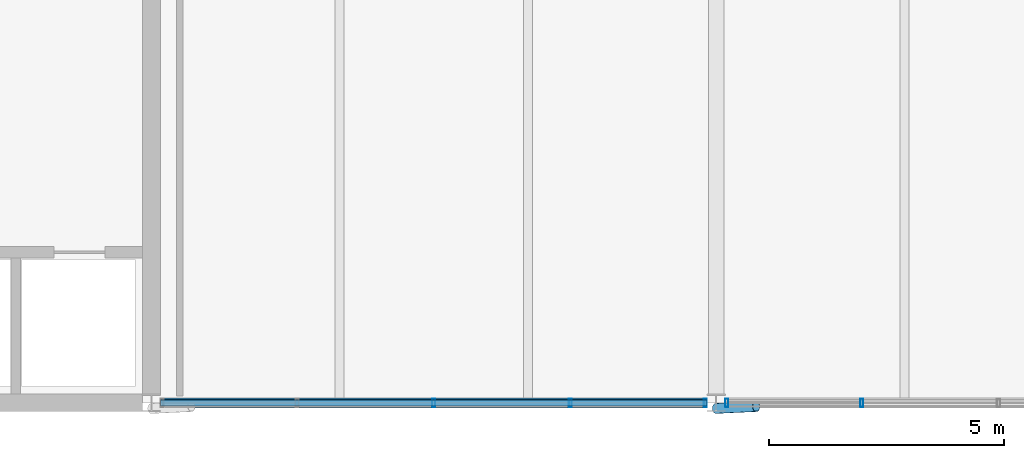
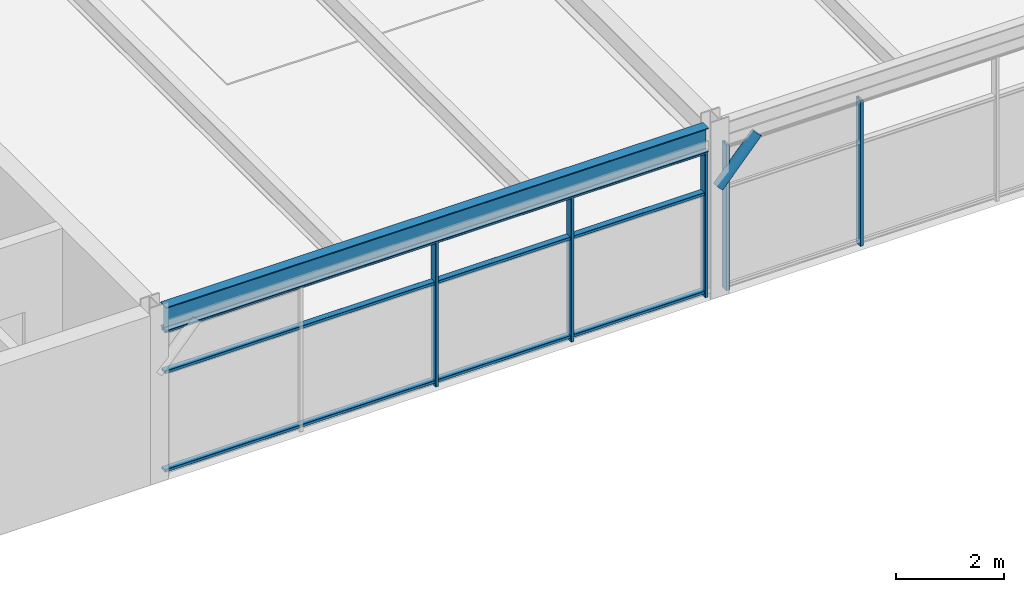
# One storey, part 26 of 49: 9 members, 1 beam, 2 elements without a shape of their own.
"""IFC4 building model written with IfcOpenShell, lengths in metres."""

import ifcopenshell
import ifcopenshell.guid

model = None  # the IFC model being written
_history = None  # IfcOwnerHistory: only IFC2X3 demands one
_inside = {}  # id of a spatial element -> (the spatial element, [elements in it])
_under = {}  # id of a project, library or spatial element -> (it, [spatial elements below it])
_declared = {}  # id of a project -> (the project, [libraries it declares])
_typed = {}  # id of a type object -> (the type object, [elements of that type])
_made_of = {}  # id of a material, layer set ... -> (it, [elements and type objects made of it])


def new_model(schema):
    """Start an empty IFC model of exactly this schema.

    Asked for "IFC4X3", IfcOpenShell would pick the latest addendum, in which some entities
    have other attributes; the version numbers below select the first issue.
    IFC2X3 requires an IfcOwnerHistory on every rooted entity: one is made here for all.
    """
    global model, _history
    if schema == "IFC4X3":
        model = ifcopenshell.file(schema_version=(4, 3, 0, 0))
    else:
        model = ifcopenshell.file(schema=schema)
    _inside.clear()
    _under.clear()
    _declared.clear()
    _typed.clear()
    _made_of.clear()
    _history = None
    if model.schema == "IFC2X3":
        org = make("IfcOrganization", Name="unknown")
        user = make(
            "IfcPersonAndOrganization",
            ThePerson=make("IfcPerson", FamilyName="unknown"),
            TheOrganization=org,
        )
        app = make(
            "IfcApplication",
            ApplicationDeveloper=org,
            Version="unknown",
            ApplicationFullName="unknown",
            ApplicationIdentifier="unknown",
        )
        _history = make(
            "IfcOwnerHistory",
            OwningUser=user,
            OwningApplication=app,
            ChangeAction="ADDED",
            CreationDate=0,
        )
    return model


def make(cls, **values):
    """One entity of the class cls with the attributes given. An attribute that is None is left unset."""
    return model.create_entity(
        cls, **{name: value for name, value in values.items() if value is not None}
    )


def rooted(cls, **values):
    """An entity with a GlobalId (a new one), such as an element, a storey or a relation."""
    return make(cls, GlobalId=ifcopenshell.guid.new(), OwnerHistory=_history, **values)


def si_unit(unit_type, name, prefix=None):
    """IfcSIUnit, for example si_unit("LENGTHUNIT", "METRE", prefix="MILLI")."""
    return make("IfcSIUnit", UnitType=unit_type, Prefix=prefix, Name=name)


def assignment(units):
    """IfcUnitAssignment: the units of a project."""
    return None if units is None else make("IfcUnitAssignment", Units=units)


def point(xyz):
    """IfcCartesianPoint."""
    return None if xyz is None else make("IfcCartesianPoint", Coordinates=xyz)


def direction(xyz):
    """IfcDirection."""
    return None if xyz is None else make("IfcDirection", DirectionRatios=xyz)


def frame(location, z_axis=None, x_axis=None):
    """IfcAxis2Placement3D, a coordinate frame: its origin and axes. An axis left out is left unset."""
    return make(
        "IfcAxis2Placement3D",
        Location=point(location),
        Axis=direction(z_axis),
        RefDirection=direction(x_axis),
    )


def frame_2d(location, x_axis=None):
    """IfcAxis2Placement2D, a coordinate frame in the plane: its origin and x axis."""
    return make(
        "IfcAxis2Placement2D", Location=point(location), RefDirection=direction(x_axis)
    )


def origin():
    """The frame at (0, 0, 0) with its axes left unset."""
    return frame((0.0, 0.0, 0.0))


def origin_2d():
    """The frame at (0, 0) in the plane with its x axis left unset."""
    return frame_2d((0.0, 0.0))


def place(relative_to, where):
    """IfcLocalPlacement: puts the frame where relative to a parent placement (None: the world)."""
    return make(
        "IfcLocalPlacement", PlacementRelTo=relative_to, RelativePlacement=where
    )


def context(
    kind, dimensions, precision=None, world=None, true_north=None, identifier=None
):
    """IfcGeometricRepresentationContext, for example the 3D "Model" context."""
    return make(
        "IfcGeometricRepresentationContext",
        ContextIdentifier=identifier,
        ContextType=kind,
        CoordinateSpaceDimension=dimensions,
        Precision=precision,
        WorldCoordinateSystem=world,
        TrueNorth=true_north,
    )


def subcontext(parent, identifier, kind, view, scale=None):
    """IfcGeometricRepresentationSubContext, for example "Body" below "Model"."""
    return make(
        "IfcGeometricRepresentationSubContext",
        ContextIdentifier=identifier,
        ContextType=kind,
        ParentContext=parent,
        TargetScale=scale,
        TargetView=view,
    )


def project(units=None, contexts=None):
    """IfcProject with its units and contexts."""
    return rooted(
        "IfcProject",
        Name="project",
        RepresentationContexts=contexts,
        UnitsInContext=assignment(units),
    )


def spatial(cls, under=None, at=None, **own):
    """A site, building, storey or space (cls), placed at a placement, below another one or the project."""
    s = rooted(cls, ObjectPlacement=at, **own)
    if under is not None:
        _under.setdefault(under.id(), (under, []))[1].append(s)
    return s


def profile(cls, at=None, kind="AREA", **sizes):
    """A parametric profile (cls). Its sizes go by their IFC names, for example OverallWidth=200.0."""
    return make(cls, ProfileType=kind, Position=at, **sizes)


def hollow_rectangle(**sizes):
    """IfcRectangleHollowProfileDef."""
    return profile("IfcRectangleHollowProfileDef", **sizes)


def hollow_circle(**sizes):
    """IfcCircleHollowProfileDef."""
    return profile("IfcCircleHollowProfileDef", **sizes)


def i_section(**sizes):
    """IfcIShapeProfileDef."""
    return profile("IfcIShapeProfileDef", **sizes)


def extrude(swept, where, along, depth):
    """IfcExtrudedAreaSolid: the profile swept, set in the frame where, extruded along a direction by depth."""
    return make(
        "IfcExtrudedAreaSolid",
        SweptArea=swept,
        Position=where,
        ExtrudedDirection=direction(along),
        Depth=depth,
    )


def shape(context_of_items, identifier, shape_type, items):
    """IfcShapeRepresentation: the items that make up one representation, for example the "Body"."""
    return make(
        "IfcShapeRepresentation",
        ContextOfItems=context_of_items,
        RepresentationIdentifier=identifier,
        RepresentationType=shape_type,
        Items=items,
    )


def material(Name=None, Category=None):
    """IfcMaterial."""
    return make("IfcMaterial", Name=Name, Category=Category)


def material_profile(
    of_material, cross_section, Name=None, Category=None, Priority=None
):
    """IfcMaterialProfile: a cross section and its material."""
    return make(
        "IfcMaterialProfile",
        Name=Name,
        Material=of_material,
        Profile=cross_section,
        Priority=Priority,
        Category=Category,
    )


def profile_set(profiles, Name=None, composite=None):
    """IfcMaterialProfileSet."""
    return make(
        "IfcMaterialProfileSet",
        Name=Name,
        MaterialProfiles=profiles,
        CompositeProfile=composite,
    )


def made_of(thing, what):
    """Note that an element or type object is made of a material, layer set ...; save() writes the relation."""
    if what is not None:
        _made_of.setdefault(what.id(), (what, []))[1].append(thing)
    return thing


def type_object(cls, material=None, **own):
    """A type object (cls), such as IfcWallType, which elements share."""
    return made_of(rooted(cls, **own), material)


def element(
    cls,
    number,
    at=None,
    inside=None,
    cuts=None,
    type_object=None,
    material=None,
    context=None,
    identifier="Body",
    shape_type=None,
    held_by="IfcProductDefinitionShape",
    body=None,
    shapes=None,
    **own,
):
    """One element of the class cls, such as IfcWall. Its Tag is "e" and its number.

    at: its placement. inside: the storey or other place that contains it. cuts: it is an
    opening in that element (IfcRelVoidsElement). A single representation is given by context,
    identifier, shape_type and body (its items); several are given by shapes. held_by: the class
    of the entity that holds the representations. save() writes the other relations.
    """
    e = rooted(cls, Tag="e%d" % number, ObjectPlacement=at, **own)
    if body is not None:
        shapes = [shape(context, identifier, shape_type, body)]
    if shapes is not None:
        e.Representation = make(held_by, Representations=shapes)
    if inside is not None:
        _inside.setdefault(inside.id(), (inside, []))[1].append(e)
    if cuts is not None:
        rooted(
            "IfcRelVoidsElement", RelatingBuildingElement=cuts, RelatedOpeningElement=e
        )
    if type_object is not None:
        _typed.setdefault(type_object.id(), (type_object, []))[1].append(e)
    return made_of(e, material)


def aggregate(whole, parts):
    """IfcRelAggregates: a whole, such as a stair, and the parts it consists of."""
    return rooted("IfcRelAggregates", RelatingObject=whole, RelatedObjects=parts)


def save(model, path):
    """Write the relations noted so far, then the file.

    IfcRelAggregates (storeys below a building ...), IfcRelContainedInSpatialStructure (elements
    in a storey), IfcRelDefinesByType, IfcRelAssociatesMaterial and IfcRelDeclares: one each for
    every whole, place, type object, material and project.
    """
    for whole, parts in _under.values():
        aggregate(whole, parts)
    for where, things in _inside.values():
        rooted(
            "IfcRelContainedInSpatialStructure",
            RelatedElements=things,
            RelatingStructure=where,
        )
    for kind, things in _typed.values():
        rooted("IfcRelDefinesByType", RelatedObjects=things, RelatingType=kind)
    for what, things in _made_of.values():
        rooted("IfcRelAssociatesMaterial", RelatedObjects=things, RelatingMaterial=what)
    for by, libraries in _declared.values():
        rooted("IfcRelDeclares", RelatingContext=by, RelatedDefinitions=libraries)
    model.write(path)


model = new_model("IFC4")

# Units and contexts
model_context = context("Model", 3, precision=1e-05, world=origin(), true_north=direction((0.0, 1.0)))
body_context = subcontext(model_context, "Body", "Model", "MODEL_VIEW")
ifc_project = project(units=[si_unit("LENGTHUNIT", "METRE"), si_unit("AREAUNIT", "SQUARE_METRE"), si_unit("VOLUMEUNIT", "CUBIC_METRE"), si_unit("PLANEANGLEUNIT", "RADIAN"), si_unit("MASSUNIT", "GRAM", prefix="KILO")], contexts=[model_context])

# Site, building, storey
site_placement = place(None, origin())
site = spatial("IfcSite", under=ifc_project, at=site_placement, CompositionType="ELEMENT")
building_placement = place(site_placement, origin())
building = spatial("IfcBuilding", under=site, at=building_placement, Name="Girod Span Mobility Hub", CompositionType="ELEMENT")
storey_placement = place(building_placement, frame((0.0, 0.0, 37.60009765625)))
storey = spatial("IfcBuildingStorey", under=building, at=storey_placement, Name="L09", CompositionType="ELEMENT", Elevation=37.60009765625)

# Beam
ifc_material_1 = material(Name="Steel A992 Grade 50", Category="steel")
ifc_material_profile_1 = material_profile(ifc_material_1, i_section(OverallWidth=0.2119140625, OverallDepth=0.5439453125, WebThickness=0.01318359375, FlangeThickness=0.021240234375, FilletRadius=0.014892578125, at=origin_2d()), Name="W21X83")
ifc_profile_set_1 = profile_set([ifc_material_profile_1], Name="Steel A992 Grade 50")
beam_type = type_object("IfcBeamType", Name="BM-STL-W21X83", PredefinedType="SPANDREL", material=ifc_profile_set_1)
beam_placement = place(storey_placement, frame((84.194091796875, 27.0, 3.56298828125), z_axis=(1.0, 0.0, 0.0), x_axis=(0.0, 1.0, 0.0)))
element("IfcBeam", 1, at=beam_placement, inside=storey, type_object=beam_type, Name="Girder 8-9/C L09", PredefinedType="SPANDREL", context=body_context, shape_type="SweptSolid", body=[
    extrude(i_section(OverallWidth=0.2119140625, OverallDepth=0.5439453125, WebThickness=0.01318359375, FlangeThickness=0.021240234375, FilletRadius=0.014892578125, at=origin_2d()), origin(), (0.0, 0.0, 1.0), 11.61181640625),
])

# Curtain wall, members
ifc_material_2 = material(Name="Thermally Broken Anodised Aluminium", Category="aluminium")
curtain_wall_type = type_object("IfcCurtainWallType", Name="CW-1161X329", PredefinedType="USERDEFINED", material=ifc_material_2)
curtain_wall_1_placement = place(storey_placement, origin())
curtain_wall_1 = element("IfcCurtainWall", 2, at=curtain_wall_1_placement, inside=storey, type_object=curtain_wall_type, Name="Unitised Curtain Wall CW-L09-S08 L09", ObjectType="UNITISED CURTAIN WALL", PredefinedType="USERDEFINED")
ifc_material_3 = material(Name="Thermally Broken Anodised Aluminium", Category="aluminium")
ifc_material_profile_2 = material_profile(ifc_material_3, hollow_rectangle(XDim=0.179931640625, YDim=0.06494140625, WallThickness=0.00390625, InnerFilletRadius=0.00390625, OuterFilletRadius=0.008056640625, at=origin_2d()), Name="CW-ML-65X180")
ifc_profile_set_2 = profile_set([ifc_material_profile_2], Name="Thermally Broken Anodised Aluminium")
member_type_1 = type_object("IfcMemberType", Name="CWM-ML-2", PredefinedType="MULLION", material=ifc_profile_set_2)
member_1_placement = place(storey_placement, frame((90.0, 27.0, 0.0), z_axis=(0.0, 0.0, 1.0), x_axis=(0.0, 1.0, 0.0)))
member_1 = element("IfcMember", 3, at=member_1_placement, type_object=member_type_1, Name="Curtain Wall Mullion CW-L09-S08-M2", PredefinedType="MULLION", context=body_context, shape_type="SweptSolid", body=[
    extrude(hollow_rectangle(XDim=0.179931640625, YDim=0.06494140625, WallThickness=0.00390625, InnerFilletRadius=0.00390625, OuterFilletRadius=0.008056640625, at=origin_2d()), origin(), (0.0, 0.0, 1.0), 3.291015625),
])
member_2_placement = place(storey_placement, frame((92.902587890625, 27.0, 0.0), z_axis=(0.0, 0.0, 1.0), x_axis=(0.0, 1.0, 0.0)))
member_2 = element("IfcMember", 4, at=member_2_placement, type_object=member_type_1, Name="Curtain Wall Mullion CW-L09-S08-M3", PredefinedType="MULLION", context=body_context, shape_type="SweptSolid", body=[
    extrude(hollow_rectangle(XDim=0.179931640625, YDim=0.06494140625, WallThickness=0.00390625, InnerFilletRadius=0.00390625, OuterFilletRadius=0.008056640625, at=origin_2d()), origin(), (0.0, 0.0, 1.0), 3.291015625),
])
member_3_placement = place(storey_placement, frame((95.77294921875, 27.0, 0.0), z_axis=(0.0, 0.0, 1.0), x_axis=(0.0, 1.0, 0.0)))
member_3 = element("IfcMember", 5, at=member_3_placement, type_object=member_type_1, Name="Curtain Wall Mullion CW-L09-S08-M4", PredefinedType="MULLION", context=body_context, shape_type="SweptSolid", body=[
    extrude(hollow_rectangle(XDim=0.179931640625, YDim=0.06494140625, WallThickness=0.00390625, InnerFilletRadius=0.00390625, OuterFilletRadius=0.008056640625, at=origin_2d()), origin(), (0.0, 0.0, 1.0), 3.291015625),
])

curtain_wall_2_placement = place(storey_placement, origin())
curtain_wall_2 = element("IfcCurtainWall", 6, at=curtain_wall_2_placement, inside=storey, type_object=curtain_wall_type, Name="Unitised Curtain Wall CW-L09-S09 L09", ObjectType="UNITISED CURTAIN WALL", PredefinedType="USERDEFINED")
member_4_placement = place(storey_placement, frame((96.22705078125, 27.0, 0.0), z_axis=(0.0, 0.0, 1.0), x_axis=(0.0, 1.0, 0.0)))
member_4 = element("IfcMember", 7, at=member_4_placement, type_object=member_type_1, Name="Curtain Wall Mullion CW-L09-S09-M0", PredefinedType="MULLION", context=body_context, shape_type="SweptSolid", body=[
    extrude(hollow_rectangle(XDim=0.179931640625, YDim=0.06494140625, WallThickness=0.00390625, InnerFilletRadius=0.00390625, OuterFilletRadius=0.008056640625, at=origin_2d()), origin(), (0.0, 0.0, 1.0), 3.291015625),
])
member_5_placement = place(storey_placement, frame((99.097412109375, 27.0, 0.0), z_axis=(0.0, 0.0, 1.0), x_axis=(0.0, 1.0, 0.0)))
member_5 = element("IfcMember", 8, at=member_5_placement, type_object=member_type_1, Name="Curtain Wall Mullion CW-L09-S09-M1", PredefinedType="MULLION", context=body_context, shape_type="SweptSolid", body=[
    extrude(hollow_rectangle(XDim=0.179931640625, YDim=0.06494140625, WallThickness=0.00390625, InnerFilletRadius=0.00390625, OuterFilletRadius=0.008056640625, at=origin_2d()), origin(), (0.0, 0.0, 1.0), 3.291015625),
])
aggregate(curtain_wall_2, [member_4, member_5])

# Member
ifc_material_4 = material(Name="Thermally Broken Anodised Aluminium", Category="aluminium")
ifc_material_profile_3 = material_profile(ifc_material_4, hollow_rectangle(XDim=0.135009765625, YDim=0.06494140625, WallThickness=0.00390625, InnerFilletRadius=0.00390625, OuterFilletRadius=0.008056640625, at=origin_2d()), Name="CW-TR-65X135")
ifc_profile_set_3 = profile_set([ifc_material_profile_3], Name="Thermally Broken Anodised Aluminium")
member_type_2 = type_object("IfcMemberType", Name="CWM-TR-2", PredefinedType="USERDEFINED", material=ifc_profile_set_3)
member_6_placement = place(storey_placement, frame((84.195068359375, 27.0, 0.107421875), z_axis=(1.0, 0.0, 0.0), x_axis=(0.0, 1.0, 0.0)))
member_6 = element("IfcMember", 9, at=member_6_placement, type_object=member_type_2, Name="Curtain Wall Transom CW-L09-S08-T1", ObjectType="TRANSOM", PredefinedType="USERDEFINED", context=body_context, shape_type="SweptSolid", body=[
    extrude(hollow_rectangle(XDim=0.135009765625, YDim=0.06494140625, WallThickness=0.00390625, InnerFilletRadius=0.00390625, OuterFilletRadius=0.008056640625, at=origin_2d()), origin(), (0.0, 0.0, 1.0), 11.60986328125),
])

member_7_placement = place(storey_placement, frame((84.195068359375, 27.0, 2.3369140625), z_axis=(1.0, 0.0, 0.0), x_axis=(0.0, 1.0, 0.0)))
member_7 = element("IfcMember", 10, at=member_7_placement, type_object=member_type_2, Name="Curtain Wall Transom CW-L09-S08-T2", ObjectType="TRANSOM", PredefinedType="USERDEFINED", context=body_context, shape_type="SweptSolid", body=[
    extrude(hollow_rectangle(XDim=0.135009765625, YDim=0.06494140625, WallThickness=0.00390625, InnerFilletRadius=0.00390625, OuterFilletRadius=0.008056640625, at=origin_2d()), origin(), (0.0, 0.0, 1.0), 11.60986328125),
])

member_8_placement = place(storey_placement, frame((84.195068359375, 27.0, 3.25830078125), z_axis=(1.0, 0.0, 0.0), x_axis=(0.0, 1.0, 0.0)))
member_8 = element("IfcMember", 11, at=member_8_placement, type_object=member_type_2, Name="Curtain Wall Transom CW-L09-S08-T3", ObjectType="TRANSOM", PredefinedType="USERDEFINED", context=body_context, shape_type="SweptSolid", body=[
    extrude(hollow_rectangle(XDim=0.135009765625, YDim=0.06494140625, WallThickness=0.00390625, InnerFilletRadius=0.00390625, OuterFilletRadius=0.008056640625, at=origin_2d()), origin(), (0.0, 0.0, 1.0), 11.60986328125),
])

aggregate(curtain_wall_1, [member_1, member_2, member_3, member_6, member_7, member_8])

ifc_material_5 = material(Name="Steel HSS A500 Grade C", Category="steel")
ifc_material_profile_4 = material_profile(ifc_material_5, hollow_circle(Radius=0.109619140625, WallThickness=0.0087890625, at=origin_2d()), Name="HSS219X9.5")
ifc_profile_set_4 = profile_set([ifc_material_profile_4], Name="Steel HSS A500 Grade C")
member_type_3 = type_object("IfcMemberType", Name="MB-ST-HSS219", PredefinedType="STRUT", material=ifc_profile_set_4)
member_9_placement = place(storey_placement, frame((96.0, 26.8798828125, 2.449951171875), z_axis=(0.684284972261, 0.032229389848, 0.728502122967), x_axis=(-0.047047213483, 0.998892666758, 0.0)))
element("IfcMember", 12, at=member_9_placement, inside=storey, type_object=member_type_3, Name="Solar Shading Knee Strut 9 L09", PredefinedType="STRUT", context=body_context, shape_type="SweptSolid", body=[
    extrude(hollow_circle(Radius=0.109619140625, WallThickness=0.0087890625, at=origin_2d()), origin(), (0.0, 0.0, 1.0), 1.242431640625),
])

save(model, "model.ifc")
